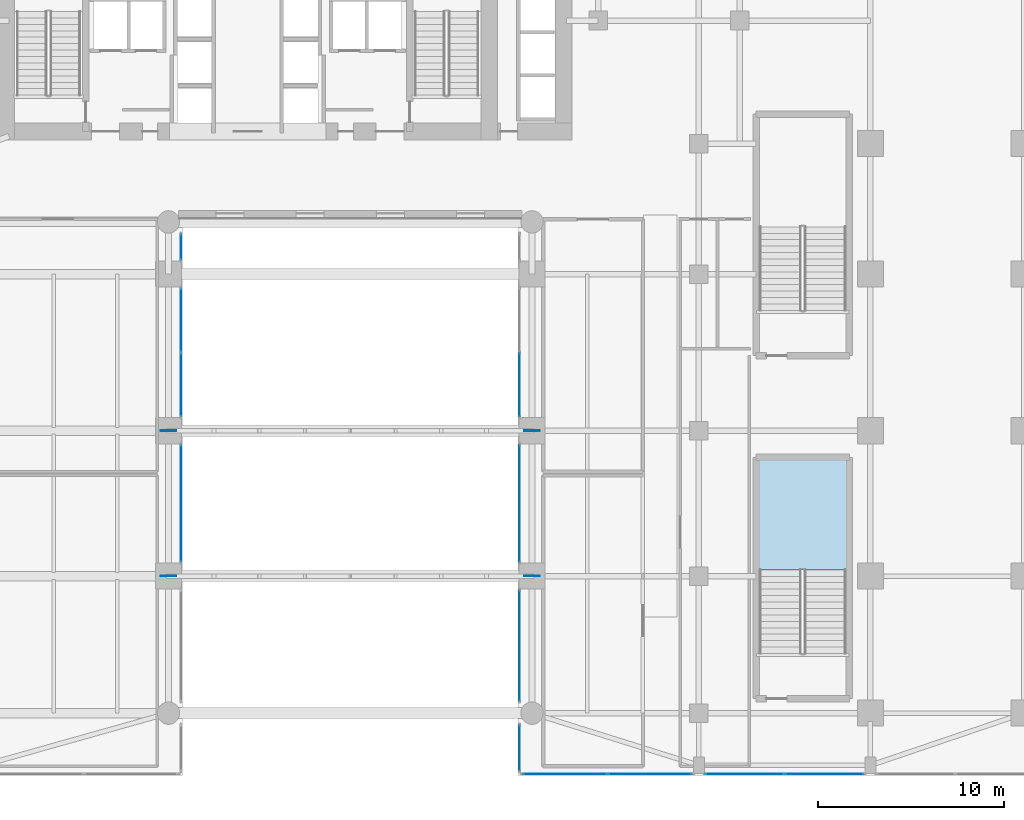
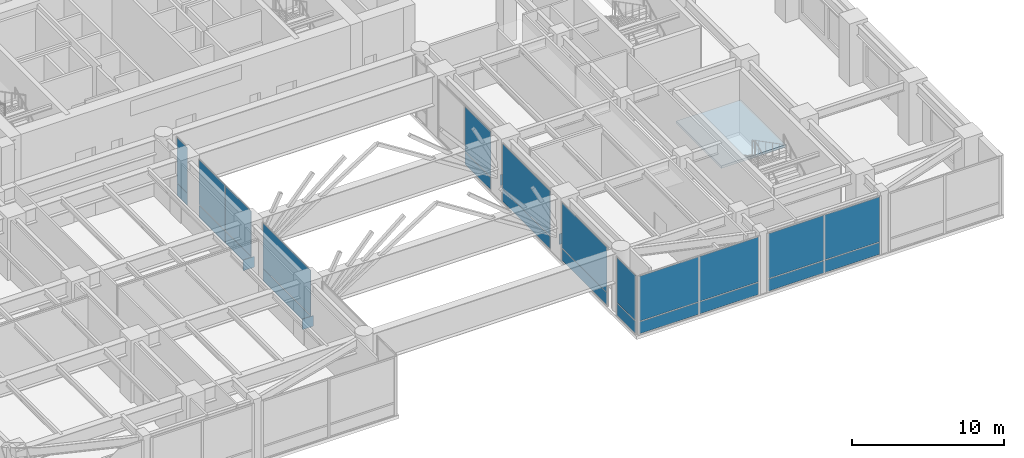
# One storey, part 26 of 39: 28 plates, 1 slab, 10 elements without a shape of their own.
"""IFC4 building model written with IfcOpenShell, lengths in metres."""

import ifcopenshell
import ifcopenshell.guid

model = None  # the IFC model being written
_history = None  # IfcOwnerHistory: only IFC2X3 demands one
_inside = {}  # id of a spatial element -> (the spatial element, [elements in it])
_under = {}  # id of a project, library or spatial element -> (it, [spatial elements below it])
_declared = {}  # id of a project -> (the project, [libraries it declares])
_typed = {}  # id of a type object -> (the type object, [elements of that type])
_made_of = {}  # id of a material, layer set ... -> (it, [elements and type objects made of it])


def new_model(schema):
    """Start an empty IFC model of exactly this schema.

    Asked for "IFC4X3", IfcOpenShell would pick the latest addendum, in which some entities
    have other attributes; the version numbers below select the first issue.
    IFC2X3 requires an IfcOwnerHistory on every rooted entity: one is made here for all.
    """
    global model, _history
    if schema == "IFC4X3":
        model = ifcopenshell.file(schema_version=(4, 3, 0, 0))
    else:
        model = ifcopenshell.file(schema=schema)
    _inside.clear()
    _under.clear()
    _declared.clear()
    _typed.clear()
    _made_of.clear()
    _history = None
    if model.schema == "IFC2X3":
        org = make("IfcOrganization", Name="unknown")
        user = make(
            "IfcPersonAndOrganization",
            ThePerson=make("IfcPerson", FamilyName="unknown"),
            TheOrganization=org,
        )
        app = make(
            "IfcApplication",
            ApplicationDeveloper=org,
            Version="unknown",
            ApplicationFullName="unknown",
            ApplicationIdentifier="unknown",
        )
        _history = make(
            "IfcOwnerHistory",
            OwningUser=user,
            OwningApplication=app,
            ChangeAction="ADDED",
            CreationDate=0,
        )
    return model


def make(cls, **values):
    """One entity of the class cls with the attributes given. An attribute that is None is left unset."""
    return model.create_entity(
        cls, **{name: value for name, value in values.items() if value is not None}
    )


def rooted(cls, **values):
    """An entity with a GlobalId (a new one), such as an element, a storey or a relation."""
    return make(cls, GlobalId=ifcopenshell.guid.new(), OwnerHistory=_history, **values)


def si_unit(unit_type, name, prefix=None):
    """IfcSIUnit, for example si_unit("LENGTHUNIT", "METRE", prefix="MILLI")."""
    return make("IfcSIUnit", UnitType=unit_type, Prefix=prefix, Name=name)


def assignment(units):
    """IfcUnitAssignment: the units of a project."""
    return None if units is None else make("IfcUnitAssignment", Units=units)


def point(xyz):
    """IfcCartesianPoint."""
    return None if xyz is None else make("IfcCartesianPoint", Coordinates=xyz)


def direction(xyz):
    """IfcDirection."""
    return None if xyz is None else make("IfcDirection", DirectionRatios=xyz)


def frame(location, z_axis=None, x_axis=None):
    """IfcAxis2Placement3D, a coordinate frame: its origin and axes. An axis left out is left unset."""
    return make(
        "IfcAxis2Placement3D",
        Location=point(location),
        Axis=direction(z_axis),
        RefDirection=direction(x_axis),
    )


def frame_2d(location, x_axis=None):
    """IfcAxis2Placement2D, a coordinate frame in the plane: its origin and x axis."""
    return make(
        "IfcAxis2Placement2D", Location=point(location), RefDirection=direction(x_axis)
    )


def origin():
    """The frame at (0, 0, 0) with its axes left unset."""
    return frame((0.0, 0.0, 0.0))


def origin_2d():
    """The frame at (0, 0) in the plane with its x axis left unset."""
    return frame_2d((0.0, 0.0))


def place(relative_to, where):
    """IfcLocalPlacement: puts the frame where relative to a parent placement (None: the world)."""
    return make(
        "IfcLocalPlacement", PlacementRelTo=relative_to, RelativePlacement=where
    )


def context(
    kind, dimensions, precision=None, world=None, true_north=None, identifier=None
):
    """IfcGeometricRepresentationContext, for example the 3D "Model" context."""
    return make(
        "IfcGeometricRepresentationContext",
        ContextIdentifier=identifier,
        ContextType=kind,
        CoordinateSpaceDimension=dimensions,
        Precision=precision,
        WorldCoordinateSystem=world,
        TrueNorth=true_north,
    )


def subcontext(parent, identifier, kind, view, scale=None):
    """IfcGeometricRepresentationSubContext, for example "Body" below "Model"."""
    return make(
        "IfcGeometricRepresentationSubContext",
        ContextIdentifier=identifier,
        ContextType=kind,
        ParentContext=parent,
        TargetScale=scale,
        TargetView=view,
    )


def project(units=None, contexts=None):
    """IfcProject with its units and contexts."""
    return rooted(
        "IfcProject",
        Name="project",
        RepresentationContexts=contexts,
        UnitsInContext=assignment(units),
    )


def spatial(cls, under=None, at=None, **own):
    """A site, building, storey or space (cls), placed at a placement, below another one or the project."""
    s = rooted(cls, ObjectPlacement=at, **own)
    if under is not None:
        _under.setdefault(under.id(), (under, []))[1].append(s)
    return s


def polyline(points):
    """IfcPolyline through the points."""
    return make("IfcPolyline", Points=[point(p) for p in points])


def profile(cls, at=None, kind="AREA", **sizes):
    """A parametric profile (cls). Its sizes go by their IFC names, for example OverallWidth=200.0."""
    return make(cls, ProfileType=kind, Position=at, **sizes)


def rectangle(**sizes):
    """IfcRectangleProfileDef."""
    return profile("IfcRectangleProfileDef", **sizes)


def outline(outer, holes=None, kind="AREA"):
    """IfcArbitraryClosedProfileDef: a profile drawn as a closed curve; with holes, ...WithVoids."""
    if holes is None:
        return make("IfcArbitraryClosedProfileDef", ProfileType=kind, OuterCurve=outer)
    return make(
        "IfcArbitraryProfileDefWithVoids",
        ProfileType=kind,
        OuterCurve=outer,
        InnerCurves=holes,
    )


def extrude(swept, where, along, depth):
    """IfcExtrudedAreaSolid: the profile swept, set in the frame where, extruded along a direction by depth."""
    return make(
        "IfcExtrudedAreaSolid",
        SweptArea=swept,
        Position=where,
        ExtrudedDirection=direction(along),
        Depth=depth,
    )


def shape(context_of_items, identifier, shape_type, items):
    """IfcShapeRepresentation: the items that make up one representation, for example the "Body"."""
    return make(
        "IfcShapeRepresentation",
        ContextOfItems=context_of_items,
        RepresentationIdentifier=identifier,
        RepresentationType=shape_type,
        Items=items,
    )


def source(mapping_origin, context_of_items, identifier, shape_type, items):
    """IfcRepresentationMap: a shape defined once, which mapped items show again and again."""
    return make(
        "IfcRepresentationMap",
        MappingOrigin=mapping_origin,
        MappedRepresentation=shape(context_of_items, identifier, shape_type, items),
    )


def transform(
    local_origin,
    x_axis=None,
    y_axis=None,
    z_axis=None,
    scale=None,
    scale2=None,
    scale3=None,
    uniform=True,
):
    """IfcCartesianTransformationOperator3D, or its non-uniform kind. x_axis, y_axis, z_axis: its Axis1, 2, 3."""
    if uniform:
        return make(
            "IfcCartesianTransformationOperator3D",
            Axis1=direction(x_axis),
            Axis2=direction(y_axis),
            LocalOrigin=point(local_origin),
            Scale=scale,
            Axis3=direction(z_axis),
        )
    return make(
        "IfcCartesianTransformationOperator3DnonUniform",
        Axis1=direction(x_axis),
        Axis2=direction(y_axis),
        LocalOrigin=point(local_origin),
        Scale=scale,
        Axis3=direction(z_axis),
        Scale2=scale2,
        Scale3=scale3,
    )


def mapped(mapping_source, mapping_target):
    """IfcMappedItem: shows the shape of a source again, moved by a transform."""
    return make(
        "IfcMappedItem", MappingSource=mapping_source, MappingTarget=mapping_target
    )


def material(Name=None, Category=None):
    """IfcMaterial."""
    return make("IfcMaterial", Name=Name, Category=Category)


def layer(
    of_material, thickness, ventilated=None, Name=None, Category=None, Priority=None
):
    """IfcMaterialLayer: one layer of a wall or slab, of a material (None: an air gap)."""
    return make(
        "IfcMaterialLayer",
        Material=of_material,
        LayerThickness=thickness,
        IsVentilated=ventilated,
        Name=Name,
        Category=Category,
        Priority=Priority,
    )


def layer_set(layers, Name=None):
    """IfcMaterialLayerSet."""
    return make("IfcMaterialLayerSet", MaterialLayers=layers, LayerSetName=Name)


def made_of(thing, what):
    """Note that an element or type object is made of a material, layer set ...; save() writes the relation."""
    if what is not None:
        _made_of.setdefault(what.id(), (what, []))[1].append(thing)
    return thing


def type_object(cls, material=None, **own):
    """A type object (cls), such as IfcWallType, which elements share."""
    return made_of(rooted(cls, **own), material)


def type_shapes(of_type, sources):
    """Give a type object the sources (RepresentationMaps) that its elements show as mapped items."""
    of_type.RepresentationMaps = sources


def element(
    cls,
    number,
    at=None,
    inside=None,
    cuts=None,
    type_object=None,
    material=None,
    context=None,
    identifier="Body",
    shape_type=None,
    held_by="IfcProductDefinitionShape",
    body=None,
    shapes=None,
    **own,
):
    """One element of the class cls, such as IfcWall. Its Tag is "e" and its number.

    at: its placement. inside: the storey or other place that contains it. cuts: it is an
    opening in that element (IfcRelVoidsElement). A single representation is given by context,
    identifier, shape_type and body (its items); several are given by shapes. held_by: the class
    of the entity that holds the representations. save() writes the other relations.
    """
    e = rooted(cls, Tag="e%d" % number, ObjectPlacement=at, **own)
    if body is not None:
        shapes = [shape(context, identifier, shape_type, body)]
    if shapes is not None:
        e.Representation = make(held_by, Representations=shapes)
    if inside is not None:
        _inside.setdefault(inside.id(), (inside, []))[1].append(e)
    if cuts is not None:
        rooted(
            "IfcRelVoidsElement", RelatingBuildingElement=cuts, RelatedOpeningElement=e
        )
    if type_object is not None:
        _typed.setdefault(type_object.id(), (type_object, []))[1].append(e)
    return made_of(e, material)


def aggregate(whole, parts):
    """IfcRelAggregates: a whole, such as a stair, and the parts it consists of."""
    return rooted("IfcRelAggregates", RelatingObject=whole, RelatedObjects=parts)


def save(model, path):
    """Write the relations noted so far, then the file.

    IfcRelAggregates (storeys below a building ...), IfcRelContainedInSpatialStructure (elements
    in a storey), IfcRelDefinesByType, IfcRelAssociatesMaterial and IfcRelDeclares: one each for
    every whole, place, type object, material and project.
    """
    for whole, parts in _under.values():
        aggregate(whole, parts)
    for where, things in _inside.values():
        rooted(
            "IfcRelContainedInSpatialStructure",
            RelatedElements=things,
            RelatingStructure=where,
        )
    for kind, things in _typed.values():
        rooted("IfcRelDefinesByType", RelatedObjects=things, RelatingType=kind)
    for what, things in _made_of.values():
        rooted("IfcRelAssociatesMaterial", RelatedObjects=things, RelatingMaterial=what)
    for by, libraries in _declared.values():
        rooted("IfcRelDeclares", RelatingContext=by, RelatedDefinitions=libraries)
    model.write(path)


model = new_model("IFC4")

# Units and contexts
model_context = context("Model", 3, precision=1e-05, world=origin(), true_north=direction((0.0, 1.0)))
body_context = subcontext(model_context, "Body", "Model", "MODEL_VIEW")
ifc_project = project(units=[si_unit("LENGTHUNIT", "METRE"), si_unit("AREAUNIT", "SQUARE_METRE"), si_unit("VOLUMEUNIT", "CUBIC_METRE"), si_unit("PLANEANGLEUNIT", "RADIAN"), si_unit("MASSUNIT", "GRAM", prefix="KILO")], contexts=[model_context])

# Site, building, storey
site_placement = place(None, origin())
site = spatial("IfcSite", under=ifc_project, at=site_placement, CompositionType="ELEMENT")
building_placement = place(site_placement, origin())
building = spatial("IfcBuilding", under=site, at=building_placement, Name="Tolvann Quenvar Hotel", CompositionType="ELEMENT")
storey_placement = place(building_placement, frame((0.0, 0.0, 11.0)))
storey = spatial("IfcBuildingStorey", under=building, at=storey_placement, Name="L02", CompositionType="ELEMENT", Elevation=11.0)

# Stair, slab
ifc_material_1 = material(Name="Concrete N40 (40 MPa)", Category="concrete")
stair_type = type_object("IfcStairType", Name="STAIR", PredefinedType="HALF_TURN_STAIR", material=ifc_material_1)
stair_placement = place(storey_placement, origin())
stair = element("IfcStair", 1, at=stair_placement, inside=storey, type_object=stair_type, Name="L02 ST-P3", PredefinedType="HALF_TURN_STAIR")
ifc_layer_1 = layer(ifc_material_1, 0.199951171875)
ifc_layer_set_1 = layer_set([ifc_layer_1], Name="Concrete N40 (40 MPa)")
slab_type = type_object("IfcSlabType", Name="SLAB_LANDING", PredefinedType="LANDING", material=ifc_layer_set_1)
slab_placement = place(storey_placement, frame((0.0, 0.0, 2.300048828125)))
slab = element("IfcSlab", 2, at=slab_placement, type_object=slab_type, Name="ST-P3 landing 1", PredefinedType="LANDING", context=body_context, shape_type="SweptSolid", body=[
    extrude(outline(polyline([(55.22998046875, 8.534912109375), (55.22998046875, 14.47998046875), (50.320068359375, 14.47998046875), (50.320068359375, 8.534912109375), (55.22998046875, 8.534912109375)])), origin(), (0.0, 0.0, 1.0), 0.199951171875),
])
aggregate(stair, [slab])

# Plates
ifc_material_2 = material(Name="Steel Grade 350", Category="steel")
ifc_layer_2 = layer(ifc_material_2, 0.031982421875)
ifc_layer_set_2 = layer_set([ifc_layer_2], Name="Steel Grade 350")
plate_type_1 = type_object("IfcPlateType", Name="PLT_GUSSET_32", PredefinedType="USERDEFINED", material=ifc_layer_set_2)
shared_shape_1 = source(origin(), body_context, "Body", "SweptSolid", [
    extrude(rectangle(XDim=0.85009765625, YDim=0.031982421875, at=origin_2d()), origin(), (0.0, 0.0, 1.0), 0.85009765625),
])
type_shapes(plate_type_1, [shared_shape_1])
for number, where, z_axis, x_axis, name in (
    (3, (18.75, 8.199951171875, 0.77490234375), (0.0, 0.0, 1.0), (1.0, 0.0, 0.0), "Arch Strut Springer Gusset Plate GP-1 (F2-W)"),
    (4, (38.25, 8.199951171875, 0.77490234375), (0.0, 0.0, 1.0), (1.0, 0.0, 0.0), "Arch Strut Springer Gusset Plate GP-1 (F2-E)"),
    (5, (18.75, 16.0, 0.77490234375), (0.0, 0.0, 1.0), (1.0, 0.0, 0.0), "Arch Strut Springer Gusset Plate GP-1 (F3-W)"),
    (6, (38.25, 16.0, 0.77490234375), (0.0, 0.0, 1.0), (1.0, 0.0, 0.0), "Arch Strut Springer Gusset Plate GP-1 (F3-E)"),
):
    element("IfcPlate", number, at=place(storey_placement, frame(where, z_axis=z_axis, x_axis=x_axis)), inside=storey, type_object=plate_type_1, Name=name, ObjectType="GUSSET PLATE", PredefinedType="USERDEFINED", context=body_context, shape_type="MappedRepresentation", body=[
        mapped(shared_shape_1, transform((0.0, 0.0, 0.0), x_axis=(1.0, 0.0, 0.0), y_axis=(0.0, 1.0, 0.0), z_axis=(0.0, 0.0, 1.0), scale=1.0)),
    ])

# Curtain wall, plate
ifc_material_3 = material(Name="Thermally broken anodised architectural aluminium 6063-T6 and laminated low-E glass", Category="aluminium")
ifc_layer_3 = layer(ifc_material_3, 0.179931640625)
ifc_layer_set_3 = layer_set([ifc_layer_3], Name="Thermally broken anodised architectural aluminium 6063-T6 and laminated low-E glass")
curtain_wall_type_1 = type_object("IfcCurtainWallType", Name="CW_SYS_ARCH_01", PredefinedType="USERDEFINED", material=ifc_layer_set_3)
curtain_wall_1_placement = place(storey_placement, origin())
curtain_wall_1 = element("IfcCurtainWall", 7, at=curtain_wall_1_placement, inside=storey, type_object=curtain_wall_type_1, Name="Curtain Wall CW-ARCH-01 (CWR-L02-E03-S5)", ObjectType="UNITISED CURTAIN WALL", PredefinedType="USERDEFINED")
ifc_material_4 = material(Name="Low-iron laminated double glazing with solar-control coating", Category="glass")
ifc_layer_4 = layer(ifc_material_4, 0.028076171875)
ifc_layer_set_4 = layer_set([ifc_layer_4], Name="Low-iron laminated double glazing with solar-control coating")
plate_type_2 = type_object("IfcPlateType", Name="CW_PAN_VISION_28", PredefinedType="CURTAIN_PANEL", material=ifc_layer_set_4)
shared_shape_2 = source(origin(), body_context, "Body", "SweptSolid", [
    extrude(rectangle(XDim=2.39599609375, YDim=0.028076171875, at=origin_2d()), origin(), (0.0, 0.0, 1.0), 0.9599609375),
])
plate_1_placement = place(storey_placement, frame((37.590087890625, -1.02197265625, 0.06005859375), z_axis=(0.0, 0.0, 1.0), x_axis=(0.0, -1.0, 0.0)))
plate_1 = element("IfcPlate", 8, at=plate_1_placement, type_object=plate_type_2, Name="CW-ARCH-01 panel 1.1", PredefinedType="CURTAIN_PANEL", context=body_context, shape_type="MappedRepresentation", body=[
    mapped(shared_shape_2, transform((0.0, 0.0, 0.0), x_axis=(1.0, 0.0, 0.0), y_axis=(0.0, 1.0, 0.0), z_axis=(0.0, 0.0, 1.0), scale=1.0)),
])

curtain_wall_2_placement = place(storey_placement, origin())
curtain_wall_2 = element("IfcCurtainWall", 9, at=curtain_wall_2_placement, inside=storey, type_object=curtain_wall_type_1, Name="Curtain Wall CW-ARCH-01 (CWR-L02-E03-S4)", ObjectType="UNITISED CURTAIN WALL", PredefinedType="USERDEFINED")
shared_shape_3 = source(origin(), body_context, "Body", "SweptSolid", [
    extrude(rectangle(XDim=5.902099609375, YDim=0.028076171875, at=origin_2d()), origin(), (0.0, 0.0, 1.0), 0.9599609375),
])
plate_2_placement = place(storey_placement, frame((37.590087890625, 4.47509765625, 0.06005859375), z_axis=(0.0, 0.0, 1.0), x_axis=(0.0, -1.0, 0.0)))
plate_2 = element("IfcPlate", 10, at=plate_2_placement, type_object=plate_type_2, Name="CW-ARCH-01 panel 1.1", PredefinedType="CURTAIN_PANEL", context=body_context, shape_type="MappedRepresentation", body=[
    mapped(shared_shape_3, transform((0.0, 0.0, 0.0), x_axis=(1.0, 0.0, 0.0), y_axis=(0.0, 1.0, 0.0), z_axis=(0.0, 0.0, 1.0), scale=1.0)),
])

curtain_wall_3_placement = place(storey_placement, origin())
curtain_wall_3 = element("IfcCurtainWall", 11, at=curtain_wall_3_placement, inside=storey, type_object=curtain_wall_type_1, Name="Curtain Wall CW-ARCH-01 (CWR-L02-E01-S3)", ObjectType="UNITISED CURTAIN WALL", PredefinedType="USERDEFINED")
shared_shape_4 = source(origin(), body_context, "Body", "SweptSolid", [
    extrude(rectangle(XDim=6.251953125, YDim=0.028076171875, at=origin_2d()), origin(), (0.0, 0.0, 1.0), 0.9599609375),
])
plate_3_placement = place(storey_placement, frame((19.409912109375, 12.10009765625, 0.06005859375), z_axis=(0.0, 0.0, 1.0), x_axis=(0.0, 1.0, 0.0)))
plate_3 = element("IfcPlate", 12, at=plate_3_placement, type_object=plate_type_2, Name="CW-ARCH-01 panel 1.1", PredefinedType="CURTAIN_PANEL", context=body_context, shape_type="MappedRepresentation", body=[
    mapped(shared_shape_4, transform((0.0, 0.0, 0.0), x_axis=(1.0, 0.0, 0.0), y_axis=(0.0, 1.0, 0.0), z_axis=(0.0, 0.0, 1.0), scale=1.0)),
])

curtain_wall_4_placement = place(storey_placement, origin())
curtain_wall_4 = element("IfcCurtainWall", 13, at=curtain_wall_4_placement, inside=storey, type_object=curtain_wall_type_1, Name="Curtain Wall CW-ARCH-01 (CWR-L02-E03-S3)", ObjectType="UNITISED CURTAIN WALL", PredefinedType="USERDEFINED")
plate_4_placement = place(storey_placement, frame((37.590087890625, 12.10009765625, 0.06005859375), z_axis=(0.0, 0.0, 1.0), x_axis=(0.0, -1.0, 0.0)))
plate_4 = element("IfcPlate", 14, at=plate_4_placement, type_object=plate_type_2, Name="CW-ARCH-01 panel 1.1", PredefinedType="CURTAIN_PANEL", context=body_context, shape_type="MappedRepresentation", body=[
    mapped(shared_shape_4, transform((0.0, 0.0, 0.0), x_axis=(1.0, 0.0, 0.0), y_axis=(0.0, 1.0, 0.0), z_axis=(0.0, 0.0, 1.0), scale=1.0)),
])

# Curtain wall, plates
curtain_wall_5_placement = place(storey_placement, origin())
curtain_wall_5 = element("IfcCurtainWall", 15, at=curtain_wall_5_placement, inside=storey, type_object=curtain_wall_type_1, Name="Curtain Wall CW-ARCH-01 (CWR-L02-E01-S4)", ObjectType="UNITISED CURTAIN WALL", PredefinedType="USERDEFINED")
shared_shape_5 = source(origin(), body_context, "Body", "SweptSolid", [
    extrude(rectangle(XDim=3.39111328125, YDim=0.028076171875, at=origin_2d()), origin(), (0.0, 0.0, 1.0), 0.9599609375),
])
plate_5_placement = place(storey_placement, frame((19.409912109375, 18.469482421875, 0.06005859375), z_axis=(0.0, 0.0, 1.0), x_axis=(0.0, 1.0, 0.0)))
plate_5 = element("IfcPlate", 16, at=plate_5_placement, type_object=plate_type_2, Name="CW-ARCH-01 panel 1.1", PredefinedType="CURTAIN_PANEL", context=body_context, shape_type="MappedRepresentation", body=[
    mapped(shared_shape_5, transform((0.0, 0.0, 0.0), x_axis=(1.0, 0.0, 0.0), y_axis=(0.0, 1.0, 0.0), z_axis=(0.0, 0.0, 1.0), scale=1.0)),
])
plate_6_placement = place(storey_placement, frame((19.409912109375, 21.930419921875, 0.06005859375), z_axis=(0.0, 0.0, 1.0), x_axis=(0.0, 1.0, 0.0)))
plate_6 = element("IfcPlate", 17, at=plate_6_placement, type_object=plate_type_2, Name="CW-ARCH-01 panel 2.1", PredefinedType="CURTAIN_PANEL", context=body_context, shape_type="MappedRepresentation", body=[
    mapped(shared_shape_5, transform((0.0, 0.0, 0.0), x_axis=(1.0, 0.0, 0.0), y_axis=(0.0, 1.0, 0.0), z_axis=(0.0, 0.0, 1.0), scale=1.0)),
])

# Curtain wall, plate
curtain_wall_6_placement = place(storey_placement, origin())
curtain_wall_6 = element("IfcCurtainWall", 18, at=curtain_wall_6_placement, inside=storey, type_object=curtain_wall_type_1, Name="Curtain Wall CW-ARCH-01 (CWR-L02-E03-S2)", ObjectType="UNITISED CURTAIN WALL", PredefinedType="USERDEFINED")
plate_7_placement = place(storey_placement, frame((37.590087890625, 18.469482421875, 0.06005859375), z_axis=(0.0, 0.0, 1.0), x_axis=(0.0, -1.0, 0.0)))
plate_7 = element("IfcPlate", 19, at=plate_7_placement, type_object=plate_type_2, Name="CW-ARCH-01 panel 2.1", PredefinedType="CURTAIN_PANEL", context=body_context, shape_type="MappedRepresentation", body=[
    mapped(shared_shape_5, transform((0.0, 0.0, 0.0), x_axis=(1.0, 0.0, 0.0), y_axis=(0.0, 1.0, 0.0), z_axis=(0.0, 0.0, 1.0), scale=1.0)),
])

curtain_wall_7_placement = place(storey_placement, origin())
curtain_wall_7 = element("IfcCurtainWall", 20, at=curtain_wall_7_placement, inside=storey, type_object=curtain_wall_type_1, Name="Curtain Wall CW-ARCH-01 (CWR-L02-E01-S5)", ObjectType="UNITISED CURTAIN WALL", PredefinedType="USERDEFINED")
shared_shape_6 = source(origin(), body_context, "Body", "SweptSolid", [
    extrude(rectangle(XDim=1.35205078125, YDim=0.028076171875, at=origin_2d()), origin(), (0.0, 0.0, 1.0), 0.9599609375),
])
plate_8_placement = place(storey_placement, frame((19.409912109375, 25.85009765625, 0.06005859375), z_axis=(0.0, 0.0, 1.0), x_axis=(0.0, 1.0, 0.0)))
plate_8 = element("IfcPlate", 21, at=plate_8_placement, type_object=plate_type_2, Name="CW-ARCH-01 panel 1.1", PredefinedType="CURTAIN_PANEL", context=body_context, shape_type="MappedRepresentation", body=[
    mapped(shared_shape_6, transform((0.0, 0.0, 0.0), x_axis=(1.0, 0.0, 0.0), y_axis=(0.0, 1.0, 0.0), z_axis=(0.0, 0.0, 1.0), scale=1.0)),
])

# Plate
shared_shape_7 = source(origin(), body_context, "Body", "SweptSolid", [
    extrude(rectangle(XDim=2.39599609375, YDim=0.028076171875, at=origin_2d()), origin(), (0.0, 0.0, 1.0), 3.60009765625),
])
plate_9_placement = place(storey_placement, frame((37.590087890625, -1.02197265625, 1.079833984375), z_axis=(0.0, 0.0, 1.0), x_axis=(0.0, -1.0, 0.0)))
plate_9 = element("IfcPlate", 22, at=plate_9_placement, type_object=plate_type_2, Name="CW-ARCH-01 panel 1.2", PredefinedType="CURTAIN_PANEL", context=body_context, shape_type="MappedRepresentation", body=[
    mapped(shared_shape_7, transform((0.0, 0.0, 0.0), x_axis=(1.0, 0.0, 0.0), y_axis=(0.0, 1.0, 0.0), z_axis=(0.0, 0.0, 1.0), scale=1.0)),
])

aggregate(curtain_wall_1, [plate_1, plate_9])

shared_shape_8 = source(origin(), body_context, "Body", "SweptSolid", [
    extrude(rectangle(XDim=5.902099609375, YDim=0.028076171875, at=origin_2d()), origin(), (0.0, 0.0, 1.0), 3.60009765625),
])
plate_10_placement = place(storey_placement, frame((37.590087890625, 4.47509765625, 1.079833984375), z_axis=(0.0, 0.0, 1.0), x_axis=(0.0, -1.0, 0.0)))
plate_10 = element("IfcPlate", 23, at=plate_10_placement, type_object=plate_type_2, Name="CW-ARCH-01 panel 1.2", PredefinedType="CURTAIN_PANEL", context=body_context, shape_type="MappedRepresentation", body=[
    mapped(shared_shape_8, transform((0.0, 0.0, 0.0), x_axis=(1.0, 0.0, 0.0), y_axis=(0.0, 1.0, 0.0), z_axis=(0.0, 0.0, 1.0), scale=1.0)),
])

aggregate(curtain_wall_2, [plate_2, plate_10])

shared_shape_9 = source(origin(), body_context, "Body", "SweptSolid", [
    extrude(rectangle(XDim=6.251953125, YDim=0.028076171875, at=origin_2d()), origin(), (0.0, 0.0, 1.0), 3.60009765625),
])
plate_11_placement = place(storey_placement, frame((19.409912109375, 12.10009765625, 1.079833984375), z_axis=(0.0, 0.0, 1.0), x_axis=(0.0, 1.0, 0.0)))
plate_11 = element("IfcPlate", 24, at=plate_11_placement, type_object=plate_type_2, Name="CW-ARCH-01 panel 1.2", PredefinedType="CURTAIN_PANEL", context=body_context, shape_type="MappedRepresentation", body=[
    mapped(shared_shape_9, transform((0.0, 0.0, 0.0), x_axis=(1.0, 0.0, 0.0), y_axis=(0.0, 1.0, 0.0), z_axis=(0.0, 0.0, 1.0), scale=1.0)),
])

aggregate(curtain_wall_3, [plate_3, plate_11])

plate_12_placement = place(storey_placement, frame((37.590087890625, 12.10009765625, 1.079833984375), z_axis=(0.0, 0.0, 1.0), x_axis=(0.0, -1.0, 0.0)))
plate_12 = element("IfcPlate", 25, at=plate_12_placement, type_object=plate_type_2, Name="CW-ARCH-01 panel 1.2", PredefinedType="CURTAIN_PANEL", context=body_context, shape_type="MappedRepresentation", body=[
    mapped(shared_shape_9, transform((0.0, 0.0, 0.0), x_axis=(1.0, 0.0, 0.0), y_axis=(0.0, 1.0, 0.0), z_axis=(0.0, 0.0, 1.0), scale=1.0)),
])

aggregate(curtain_wall_4, [plate_4, plate_12])

shared_shape_10 = source(origin(), body_context, "Body", "SweptSolid", [
    extrude(rectangle(XDim=3.39111328125, YDim=0.028076171875, at=origin_2d()), origin(), (0.0, 0.0, 1.0), 3.60009765625),
])
plate_13_placement = place(storey_placement, frame((19.409912109375, 18.469482421875, 1.079833984375), z_axis=(0.0, 0.0, 1.0), x_axis=(0.0, 1.0, 0.0)))
plate_13 = element("IfcPlate", 26, at=plate_13_placement, type_object=plate_type_2, Name="CW-ARCH-01 panel 1.2", PredefinedType="CURTAIN_PANEL", context=body_context, shape_type="MappedRepresentation", body=[
    mapped(shared_shape_10, transform((0.0, 0.0, 0.0), x_axis=(1.0, 0.0, 0.0), y_axis=(0.0, 1.0, 0.0), z_axis=(0.0, 0.0, 1.0), scale=1.0)),
])

plate_14_placement = place(storey_placement, frame((19.409912109375, 21.930419921875, 1.079833984375), z_axis=(0.0, 0.0, 1.0), x_axis=(0.0, 1.0, 0.0)))
plate_14 = element("IfcPlate", 27, at=plate_14_placement, type_object=plate_type_2, Name="CW-ARCH-01 panel 2.2", PredefinedType="CURTAIN_PANEL", context=body_context, shape_type="MappedRepresentation", body=[
    mapped(shared_shape_10, transform((0.0, 0.0, 0.0), x_axis=(1.0, 0.0, 0.0), y_axis=(0.0, 1.0, 0.0), z_axis=(0.0, 0.0, 1.0), scale=1.0)),
])

aggregate(curtain_wall_5, [plate_5, plate_13, plate_6, plate_14])

plate_15_placement = place(storey_placement, frame((37.590087890625, 18.469482421875, 1.079833984375), z_axis=(0.0, 0.0, 1.0), x_axis=(0.0, -1.0, 0.0)))
plate_15 = element("IfcPlate", 28, at=plate_15_placement, type_object=plate_type_2, Name="CW-ARCH-01 panel 2.2", PredefinedType="CURTAIN_PANEL", context=body_context, shape_type="MappedRepresentation", body=[
    mapped(shared_shape_10, transform((0.0, 0.0, 0.0), x_axis=(1.0, 0.0, 0.0), y_axis=(0.0, 1.0, 0.0), z_axis=(0.0, 0.0, 1.0), scale=1.0)),
])

aggregate(curtain_wall_6, [plate_7, plate_15])

shared_shape_11 = source(origin(), body_context, "Body", "SweptSolid", [
    extrude(rectangle(XDim=1.35205078125, YDim=0.028076171875, at=origin_2d()), origin(), (0.0, 0.0, 1.0), 3.60009765625),
])
plate_16_placement = place(storey_placement, frame((19.409912109375, 25.85009765625, 1.079833984375), z_axis=(0.0, 0.0, 1.0), x_axis=(0.0, 1.0, 0.0)))
plate_16 = element("IfcPlate", 29, at=plate_16_placement, type_object=plate_type_2, Name="CW-ARCH-01 panel 1.2", PredefinedType="CURTAIN_PANEL", context=body_context, shape_type="MappedRepresentation", body=[
    mapped(shared_shape_11, transform((0.0, 0.0, 0.0), x_axis=(1.0, 0.0, 0.0), y_axis=(0.0, 1.0, 0.0), z_axis=(0.0, 0.0, 1.0), scale=1.0)),
])

aggregate(curtain_wall_7, [plate_8, plate_16])

# Curtain wall, plates
ifc_layer_5 = layer(ifc_material_3, 0.179931640625)
ifc_layer_set_5 = layer_set([ifc_layer_5], Name="Thermally broken anodised architectural aluminium 6063-T6 and laminated low-E glass")
curtain_wall_type_2 = type_object("IfcCurtainWallType", Name="CW_SYS_BALL_02", PredefinedType="USERDEFINED", material=ifc_layer_set_5)
curtain_wall_8_placement = place(storey_placement, origin())
curtain_wall_8 = element("IfcCurtainWall", 30, at=curtain_wall_8_placement, inside=storey, type_object=curtain_wall_type_2, Name="Curtain Wall CW-BALL-02 (CWR-L02-E04-S1)", ObjectType="UNITISED CURTAIN WALL", PredefinedType="USERDEFINED")
shared_shape_12 = source(origin(), body_context, "Body", "SweptSolid", [
    extrude(rectangle(XDim=4.488037109375, YDim=0.028076171875, at=origin_2d()), origin(), (0.0, 0.0, 1.0), 0.9599609375),
])
plate_17_placement = place(storey_placement, frame((40.02392578125, -2.409912109375, 0.06005859375), z_axis=(0.0, 0.0, 1.0), x_axis=(1.0, 0.0, 0.0)))
plate_17 = element("IfcPlate", 31, at=plate_17_placement, type_object=plate_type_2, Name="CW-BALL-02 panel 1.1", PredefinedType="CURTAIN_PANEL", context=body_context, shape_type="MappedRepresentation", body=[
    mapped(shared_shape_12, transform((0.0, 0.0, 0.0), x_axis=(1.0, 0.0, 0.0), y_axis=(0.0, 1.0, 0.0), z_axis=(0.0, 0.0, 1.0), scale=1.0)),
])
plate_18_placement = place(storey_placement, frame((44.58203125, -2.409912109375, 0.06005859375), z_axis=(0.0, 0.0, 1.0), x_axis=(1.0, 0.0, 0.0)))
plate_18 = element("IfcPlate", 32, at=plate_18_placement, type_object=plate_type_2, Name="CW-BALL-02 panel 2.1", PredefinedType="CURTAIN_PANEL", context=body_context, shape_type="MappedRepresentation", body=[
    mapped(shared_shape_12, transform((0.0, 0.0, 0.0), x_axis=(1.0, 0.0, 0.0), y_axis=(0.0, 1.0, 0.0), z_axis=(0.0, 0.0, 1.0), scale=1.0)),
])
shared_shape_13 = source(origin(), body_context, "Body", "SweptSolid", [
    extrude(rectangle(XDim=4.488037109375, YDim=0.028076171875, at=origin_2d()), origin(), (0.0, 0.0, 1.0), 3.60009765625),
])
plate_19_placement = place(storey_placement, frame((40.02392578125, -2.409912109375, 1.079833984375), z_axis=(0.0, 0.0, 1.0), x_axis=(1.0, 0.0, 0.0)))
plate_19 = element("IfcPlate", 33, at=plate_19_placement, type_object=plate_type_2, Name="CW-BALL-02 panel 1.2", PredefinedType="CURTAIN_PANEL", context=body_context, shape_type="MappedRepresentation", body=[
    mapped(shared_shape_13, transform((0.0, 0.0, 0.0), x_axis=(1.0, 0.0, 0.0), y_axis=(0.0, 1.0, 0.0), z_axis=(0.0, 0.0, 1.0), scale=1.0)),
])
plate_20_placement = place(storey_placement, frame((44.58203125, -2.409912109375, 1.079833984375), z_axis=(0.0, 0.0, 1.0), x_axis=(1.0, 0.0, 0.0)))
plate_20 = element("IfcPlate", 34, at=plate_20_placement, type_object=plate_type_2, Name="CW-BALL-02 panel 2.2", PredefinedType="CURTAIN_PANEL", context=body_context, shape_type="MappedRepresentation", body=[
    mapped(shared_shape_13, transform((0.0, 0.0, 0.0), x_axis=(1.0, 0.0, 0.0), y_axis=(0.0, 1.0, 0.0), z_axis=(0.0, 0.0, 1.0), scale=1.0)),
])
aggregate(curtain_wall_8, [plate_17, plate_19, plate_18, plate_20])

curtain_wall_9_placement = place(storey_placement, origin())
curtain_wall_9 = element("IfcCurtainWall", 35, at=curtain_wall_9_placement, inside=storey, type_object=curtain_wall_type_2, Name="Curtain Wall CW-BALL-02 (CWR-L02-E04-S2)", ObjectType="UNITISED CURTAIN WALL", PredefinedType="USERDEFINED")
shared_shape_14 = source(origin(), body_context, "Body", "SweptSolid", [
    extrude(rectangle(XDim=4.19091796875, YDim=0.028076171875, at=origin_2d()), origin(), (0.0, 0.0, 1.0), 0.9599609375),
])
plate_21_placement = place(storey_placement, frame((49.66943359375, -2.409912109375, 0.06005859375), z_axis=(0.0, 0.0, 1.0), x_axis=(1.0, 0.0, 0.0)))
plate_21 = element("IfcPlate", 36, at=plate_21_placement, type_object=plate_type_2, Name="CW-BALL-02 panel 1.1", PredefinedType="CURTAIN_PANEL", context=body_context, shape_type="MappedRepresentation", body=[
    mapped(shared_shape_14, transform((0.0, 0.0, 0.0), x_axis=(1.0, 0.0, 0.0), y_axis=(0.0, 1.0, 0.0), z_axis=(0.0, 0.0, 1.0), scale=1.0)),
])
plate_22_placement = place(storey_placement, frame((53.930419921875, -2.409912109375, 0.06005859375), z_axis=(0.0, 0.0, 1.0), x_axis=(1.0, 0.0, 0.0)))
plate_22 = element("IfcPlate", 37, at=plate_22_placement, type_object=plate_type_2, Name="CW-BALL-02 panel 2.1", PredefinedType="CURTAIN_PANEL", context=body_context, shape_type="MappedRepresentation", body=[
    mapped(shared_shape_14, transform((0.0, 0.0, 0.0), x_axis=(1.0, 0.0, 0.0), y_axis=(0.0, 1.0, 0.0), z_axis=(0.0, 0.0, 1.0), scale=1.0)),
])
shared_shape_15 = source(origin(), body_context, "Body", "SweptSolid", [
    extrude(rectangle(XDim=4.19091796875, YDim=0.028076171875, at=origin_2d()), origin(), (0.0, 0.0, 1.0), 3.60009765625),
])
type_shapes(plate_type_2, [shared_shape_2, shared_shape_3, shared_shape_4, shared_shape_5, shared_shape_6, shared_shape_7, shared_shape_8, shared_shape_9, shared_shape_10, shared_shape_11, shared_shape_12, shared_shape_13, shared_shape_14, shared_shape_15])
plate_23_placement = place(storey_placement, frame((49.66943359375, -2.409912109375, 1.079833984375), z_axis=(0.0, 0.0, 1.0), x_axis=(1.0, 0.0, 0.0)))
plate_23 = element("IfcPlate", 38, at=plate_23_placement, type_object=plate_type_2, Name="CW-BALL-02 panel 1.2", PredefinedType="CURTAIN_PANEL", context=body_context, shape_type="MappedRepresentation", body=[
    mapped(shared_shape_15, transform((0.0, 0.0, 0.0), x_axis=(1.0, 0.0, 0.0), y_axis=(0.0, 1.0, 0.0), z_axis=(0.0, 0.0, 1.0), scale=1.0)),
])
plate_24_placement = place(storey_placement, frame((53.930419921875, -2.409912109375, 1.079833984375), z_axis=(0.0, 0.0, 1.0), x_axis=(1.0, 0.0, 0.0)))
plate_24 = element("IfcPlate", 39, at=plate_24_placement, type_object=plate_type_2, Name="CW-BALL-02 panel 2.2", PredefinedType="CURTAIN_PANEL", context=body_context, shape_type="MappedRepresentation", body=[
    mapped(shared_shape_15, transform((0.0, 0.0, 0.0), x_axis=(1.0, 0.0, 0.0), y_axis=(0.0, 1.0, 0.0), z_axis=(0.0, 0.0, 1.0), scale=1.0)),
])
aggregate(curtain_wall_9, [plate_21, plate_23, plate_22, plate_24])

save(model, "model.ifc")
